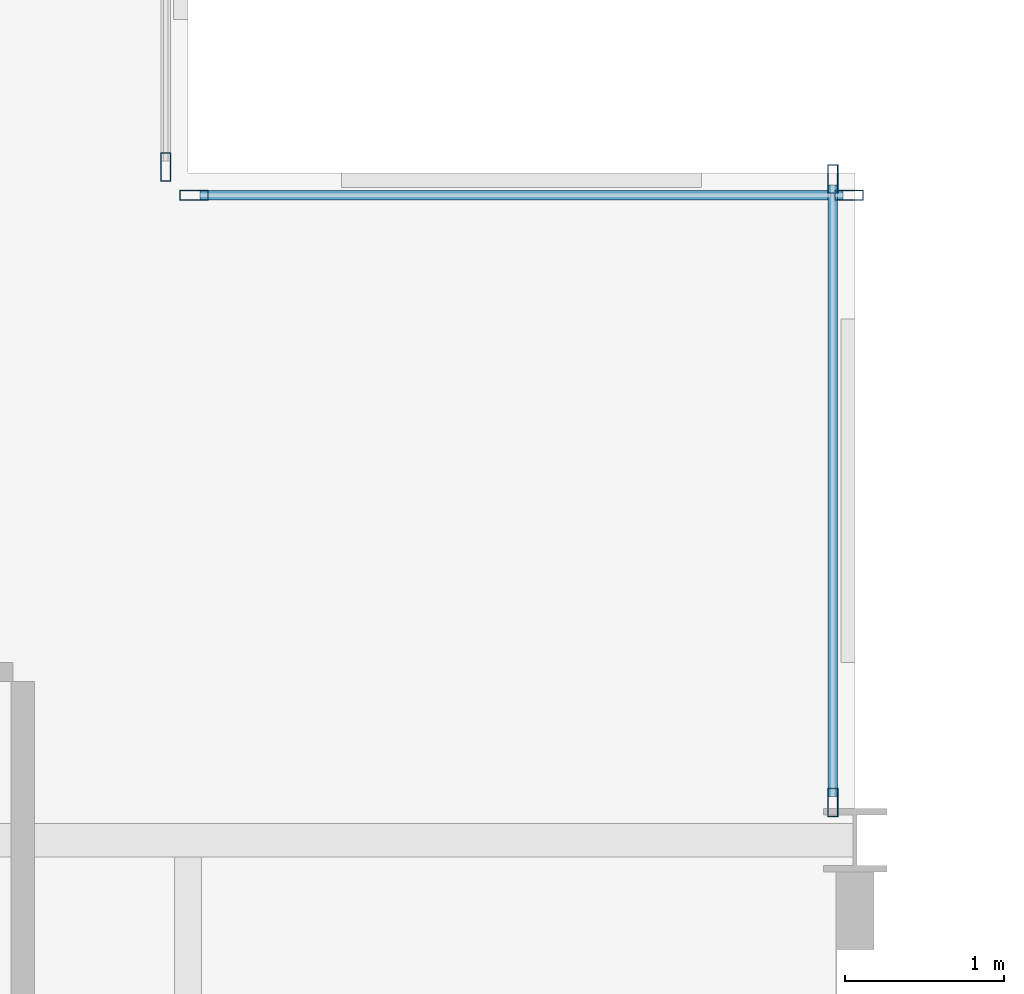
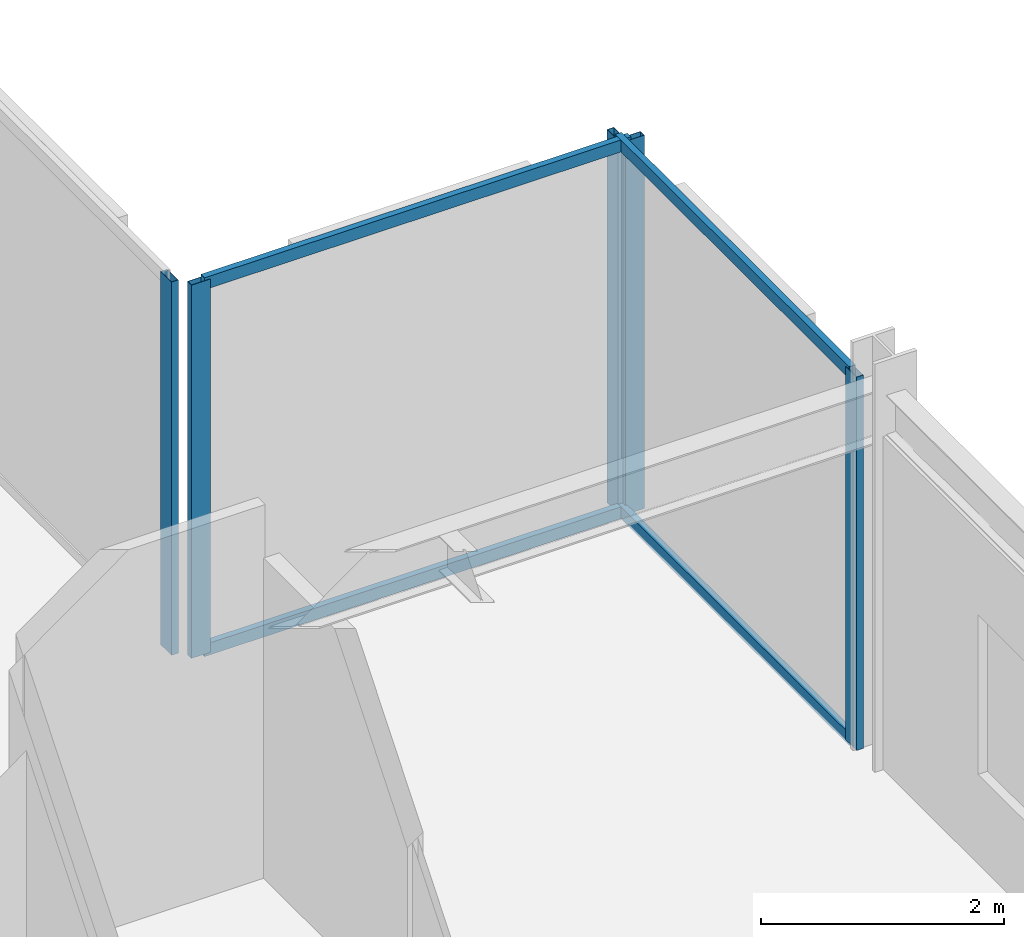
# One storey, part 20 of 29: 9 members, 3 elements without a shape of their own.
"""IFC4 building model written with IfcOpenShell, lengths in metres."""

from ifc_helpers import new_model, si_unit, direction, frame, origin, origin_2d, place, context, subcontext, project, spatial, hollow_rectangle, extrude, material, layer, layer_set, material_profile, profile_set, type_object, element, aggregate, save


model = new_model("IFC4")

# Units and contexts
model_context = context("Model", 3, precision=1e-05, world=origin(), true_north=direction((0.0, 1.0)))
body_context = subcontext(model_context, "Body", "Model", "MODEL_VIEW")
ifc_project = project(units=[si_unit("LENGTHUNIT", "METRE"), si_unit("AREAUNIT", "SQUARE_METRE"), si_unit("VOLUMEUNIT", "CUBIC_METRE"), si_unit("PLANEANGLEUNIT", "RADIAN"), si_unit("MASSUNIT", "GRAM", prefix="KILO")], contexts=[model_context])

# Site, building, storey
site_placement = place(None, origin())
site = spatial("IfcSite", under=ifc_project, at=site_placement, CompositionType="ELEMENT")
building_placement = place(site_placement, origin())
building = spatial("IfcBuilding", under=site, at=building_placement, Name="Nerrivon Quay Data Exchange", CompositionType="ELEMENT")
storey_placement = place(building_placement, frame((0.0, 0.0, 158.199951171875)))
storey = spatial("IfcBuildingStorey", under=building, at=storey_placement, Name="L37", CompositionType="ELEMENT", Elevation=158.199951171875)

# Curtain wall, member
ifc_material = material(Name="Anodised aluminium 6063-T6", Category="aluminium")
ifc_layer = layer(ifc_material, 0.2099609375)
ifc_layer_set = layer_set([ifc_layer], Name="Anodised aluminium 6063-T6")
curtain_wall_type = type_object("IfcCurtainWallType", Name="CW-SYS-02", PredefinedType="NOTDEFINED", material=ifc_layer_set)
curtain_wall_1_placement = place(storey_placement, origin())
curtain_wall_1 = element("IfcCurtainWall", 1, at=curtain_wall_1_placement, inside=storey, type_object=curtain_wall_type, Name="L37 Unitised Curtain Wall 21", PredefinedType="NOTDEFINED")
ifc_material_profile_1 = material_profile(ifc_material, hollow_rectangle(XDim=0.06494140625, YDim=0.179931640625, WallThickness=0.00341796875, at=origin_2d()), Name="ALU-MULL-180x65")
ifc_profile_set_1 = profile_set([ifc_material_profile_1], Name="Anodised aluminium 6063-T6")
member_type_1 = type_object("IfcMemberType", Name="CWM-180x65", PredefinedType="MULLION", material=ifc_profile_set_1)
member_1_placement = place(storey_placement, frame((20.860107421875, 46.237548828125, 0.0), z_axis=(0.0, 0.0, 1.0), x_axis=(1.0, 0.0, 0.0)))
member_1 = element("IfcMember", 2, at=member_1_placement, type_object=member_type_1, Name="CW02 mullion 2", PredefinedType="MULLION", context=body_context, shape_type="SweptSolid", body=[
    extrude(hollow_rectangle(XDim=0.06494140625, YDim=0.179931640625, WallThickness=0.00341796875, at=origin_2d()), origin(), (0.0, 0.0, 1.0), 3.75),
])
aggregate(curtain_wall_1, [member_1])

# Curtain wall, members
curtain_wall_2_placement = place(storey_placement, origin())
curtain_wall_2 = element("IfcCurtainWall", 3, at=curtain_wall_2_placement, inside=storey, type_object=curtain_wall_type, Name="L37 Unitised Curtain Wall 22", PredefinedType="NOTDEFINED")
member_2_placement = place(storey_placement, frame((21.03759765625, 46.06005859375, 0.0), z_axis=(0.0, 0.0, 1.0), x_axis=(0.0, 1.0, 0.0)))
member_2 = element("IfcMember", 4, at=member_2_placement, type_object=member_type_1, Name="CW02 mullion 1", PredefinedType="MULLION", context=body_context, shape_type="SweptSolid", body=[
    extrude(hollow_rectangle(XDim=0.06494140625, YDim=0.179931640625, WallThickness=0.00341796875, at=origin_2d()), origin(), (0.0, 0.0, 1.0), 3.75),
])
member_3_placement = place(storey_placement, frame((25.16259765625, 46.06005859375, 0.0), z_axis=(0.0, 0.0, 1.0), x_axis=(0.0, 1.0, 0.0)))
member_3 = element("IfcMember", 5, at=member_3_placement, type_object=member_type_1, Name="CW02 mullion 2", PredefinedType="MULLION", context=body_context, shape_type="SweptSolid", body=[
    extrude(hollow_rectangle(XDim=0.06494140625, YDim=0.179931640625, WallThickness=0.00341796875, at=origin_2d()), origin(), (0.0, 0.0, 1.0), 3.75),
])

curtain_wall_3_placement = place(storey_placement, origin())
curtain_wall_3 = element("IfcCurtainWall", 6, at=curtain_wall_3_placement, inside=storey, type_object=curtain_wall_type, Name="L37 Unitised Curtain Wall 23", PredefinedType="NOTDEFINED")
member_4_placement = place(storey_placement, frame((25.06005859375, 46.16259765625, 0.0), z_axis=(0.0, 0.0, 1.0), x_axis=(1.0, 0.0, 0.0)))
member_4 = element("IfcMember", 7, at=member_4_placement, type_object=member_type_1, Name="CW02 mullion 1", PredefinedType="MULLION", context=body_context, shape_type="SweptSolid", body=[
    extrude(hollow_rectangle(XDim=0.06494140625, YDim=0.179931640625, WallThickness=0.00341796875, at=origin_2d()), origin(), (0.0, 0.0, 1.0), 3.75),
])
member_5_placement = place(storey_placement, frame((25.06005859375, 42.237548828125, 0.0), z_axis=(0.0, 0.0, 1.0), x_axis=(1.0, 0.0, 0.0)))
member_5 = element("IfcMember", 8, at=member_5_placement, type_object=member_type_1, Name="CW02 mullion 2", PredefinedType="MULLION", context=body_context, shape_type="SweptSolid", body=[
    extrude(hollow_rectangle(XDim=0.06494140625, YDim=0.179931640625, WallThickness=0.00341796875, at=origin_2d()), origin(), (0.0, 0.0, 1.0), 3.75),
])

# Member
ifc_material_profile_2 = material_profile(ifc_material, hollow_rectangle(XDim=0.06005859375, YDim=0.1201171875, WallThickness=0.003173828125, at=origin_2d()), Name="ALU-TRAN-120x60")
ifc_profile_set_2 = profile_set([ifc_material_profile_2], Name="Anodised aluminium 6063-T6")
member_type_2 = type_object("IfcMemberType", Name="CWT-120x60", PredefinedType="USERDEFINED", material=ifc_profile_set_2)
member_6_placement = place(storey_placement, frame((21.074951171875, 46.06005859375, 0.032470703125), z_axis=(1.0, 0.0, 0.0), x_axis=(0.0, 1.0, 0.0)))
member_6 = element("IfcMember", 9, at=member_6_placement, type_object=member_type_2, Name="CW02 transom 1.1", ObjectType="TRANSOM", PredefinedType="USERDEFINED", context=body_context, shape_type="SweptSolid", body=[
    extrude(hollow_rectangle(XDim=0.06005859375, YDim=0.1201171875, WallThickness=0.003173828125, at=origin_2d()), origin(), (0.0, 0.0, 1.0), 4.050048828125),
])

member_7_placement = place(storey_placement, frame((21.074951171875, 46.06005859375, 3.717529296875), z_axis=(1.0, 0.0, 0.0), x_axis=(0.0, 1.0, 0.0)))
member_7 = element("IfcMember", 10, at=member_7_placement, type_object=member_type_2, Name="CW02 transom 1.2", ObjectType="TRANSOM", PredefinedType="USERDEFINED", context=body_context, shape_type="SweptSolid", body=[
    extrude(hollow_rectangle(XDim=0.06005859375, YDim=0.1201171875, WallThickness=0.003173828125, at=origin_2d()), origin(), (0.0, 0.0, 1.0), 4.050048828125),
])

aggregate(curtain_wall_2, [member_2, member_3, member_6, member_7])

member_8_placement = place(storey_placement, frame((25.06005859375, 46.125, 0.032470703125), z_axis=(0.0, -1.0, 0.0), x_axis=(1.0, 0.0, 0.0)))
member_8 = element("IfcMember", 11, at=member_8_placement, type_object=member_type_2, Name="CW02 transom 1.1", ObjectType="TRANSOM", PredefinedType="USERDEFINED", context=body_context, shape_type="SweptSolid", body=[
    extrude(hollow_rectangle(XDim=0.06005859375, YDim=0.1201171875, WallThickness=0.003173828125, at=origin_2d()), origin(), (0.0, 0.0, 1.0), 3.85009765625),
])

member_9_placement = place(storey_placement, frame((25.06005859375, 46.125, 3.717529296875), z_axis=(0.0, -1.0, 0.0), x_axis=(1.0, 0.0, 0.0)))
member_9 = element("IfcMember", 12, at=member_9_placement, type_object=member_type_2, Name="CW02 transom 1.2", ObjectType="TRANSOM", PredefinedType="USERDEFINED", context=body_context, shape_type="SweptSolid", body=[
    extrude(hollow_rectangle(XDim=0.06005859375, YDim=0.1201171875, WallThickness=0.003173828125, at=origin_2d()), origin(), (0.0, 0.0, 1.0), 3.85009765625),
])

aggregate(curtain_wall_3, [member_4, member_5, member_8, member_9])

save(model, "model.ifc")
